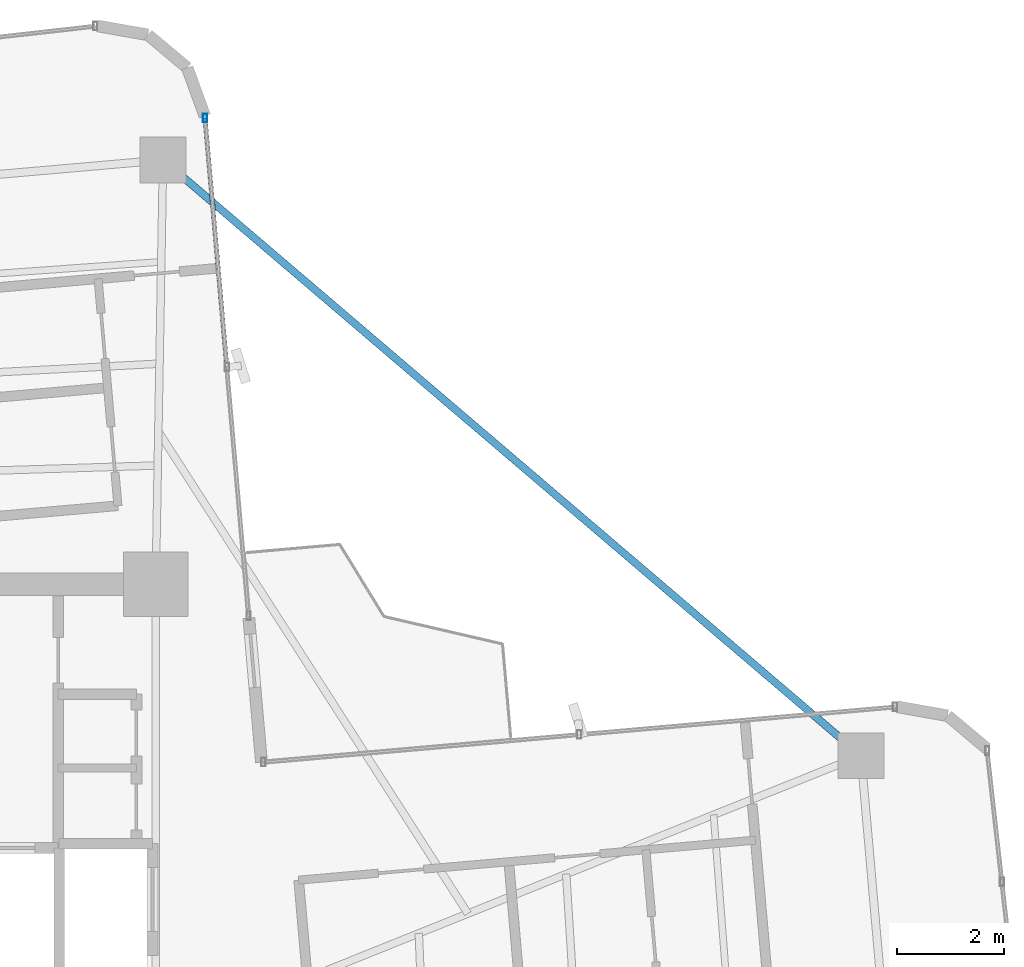
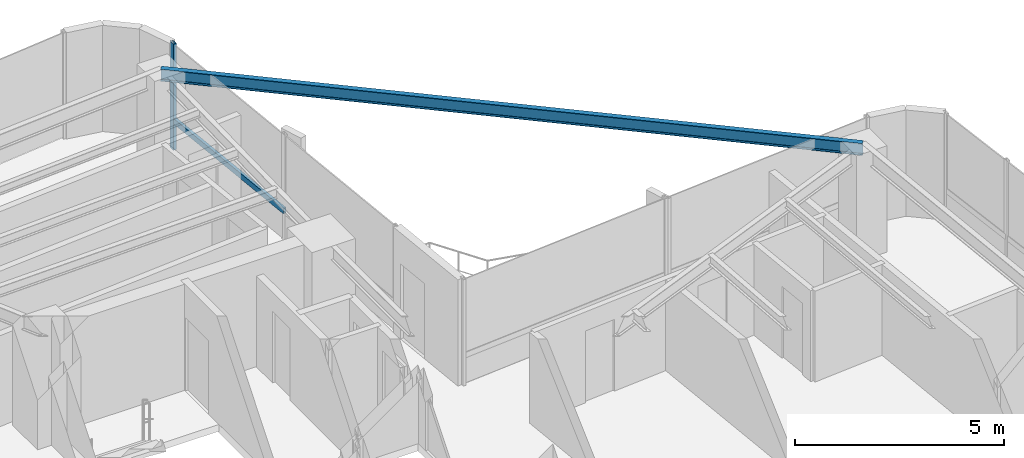
# One storey, part 17 of 24: 2 members, 1 beam, 1 element without a shape of its own.
"""IFC4 building model written with IfcOpenShell, lengths in metres."""

from ifc_helpers import new_model, si_unit, direction, frame, origin, origin_2d, place, context, subcontext, project, spatial, hollow_rectangle, i_section, extrude, source, transform, mapped, material, material_profile, profile_set, type_object, element, aggregate, save


model = new_model("IFC4")

# Units and contexts
model_context = context("Model", 3, precision=1e-05, world=origin(), true_north=direction((0.0, 1.0)))
body_context = subcontext(model_context, "Body", "Model", "MODEL_VIEW")
ifc_project = project(units=[si_unit("LENGTHUNIT", "METRE"), si_unit("AREAUNIT", "SQUARE_METRE"), si_unit("VOLUMEUNIT", "CUBIC_METRE"), si_unit("PLANEANGLEUNIT", "RADIAN"), si_unit("MASSUNIT", "GRAM", prefix="KILO")], contexts=[model_context])

# Site, building, storey
site_placement = place(None, origin())
site = spatial("IfcSite", under=ifc_project, at=site_placement, CompositionType="ELEMENT")
building_placement = place(site_placement, origin())
building = spatial("IfcBuilding", under=site, at=building_placement, Name="Sahyath Konkavel Grand Hotel", CompositionType="ELEMENT")
storey_placement = place(building_placement, frame((0.0, 0.0, 150.60009765625)))
storey = spatial("IfcBuildingStorey", under=building, at=storey_placement, Name="L41", CompositionType="ELEMENT", Elevation=150.60009765625)

# Beam
ifc_material_1 = material(Name="Steel E350", Category="steel")
ifc_material_profile_1 = material_profile(ifc_material_1, i_section(OverallWidth=0.139892578125, OverallDepth=0.35009765625, WebThickness=0.008056640625, FlangeThickness=0.01416015625, FilletRadius=0.013916015625, at=origin_2d()), Name="ISMB 350")
ifc_profile_set_1 = profile_set([ifc_material_profile_1], Name="Steel E350")
beam_type = type_object("IfcBeamType", Name="BM-ISMB350", PredefinedType="BEAM", material=ifc_profile_set_1)
shared_shape_1 = source(origin(), body_context, "Body", "SweptSolid", [
    extrude(i_section(OverallWidth=0.139892578125, OverallDepth=0.35009765625, WebThickness=0.008056640625, FlangeThickness=0.01416015625, FilletRadius=0.013916015625, at=origin_2d()), origin(), (0.0, 0.0, 1.0), 17.11279296875),
])
beam_placement = place(storey_placement, frame((16.9541015625, 7.00439453125, 2.934814453125), z_axis=(-0.760711911164, 0.649089661151, 0.0), x_axis=(-0.649089661151, -0.760711911164, 0.0)))
element("IfcBeam", 1, at=beam_placement, inside=storey, type_object=beam_type, Name="L41 Re-Entrant Tie Beam NE", PredefinedType="BEAM", context=body_context, shape_type="MappedRepresentation", body=[
    mapped(shared_shape_1, transform((0.0, 0.0, 0.0), scale=1.0)),
])

# Curtain wall, members
ifc_material_2 = material(Name="Anodised Bronze Aluminium & Low-E Glazing", Category="aluminium")
curtain_wall_type = type_object("IfcCurtainWallType", Name="CW-ZONE3", PredefinedType="NOTDEFINED", material=ifc_material_2)
curtain_wall_placement = place(storey_placement, origin())
curtain_wall = element("IfcCurtainWall", 2, at=curtain_wall_placement, inside=storey, type_object=curtain_wall_type, Name="L41 Unitised Curtain Wall F8", PredefinedType="NOTDEFINED")
ifc_material_3 = material(Name="Anodised Bronze Aluminium", Category="aluminium")
ifc_material_profile_2 = material_profile(ifc_material_3, hollow_rectangle(XDim=0.080078125, YDim=0.159912109375, WallThickness=0.006103515625, at=origin_2d()), Name="RHS 160x80x6")
ifc_profile_set_2 = profile_set([ifc_material_profile_2], Name="Anodised Bronze Aluminium")
member_type_1 = type_object("IfcMemberType", Name="CW-MUL-160", PredefinedType="MULLION", material=ifc_profile_set_2)
shared_shape_2 = source(origin(), body_context, "Body", "SweptSolid", [
    extrude(hollow_rectangle(XDim=0.080078125, YDim=0.159912109375, WallThickness=0.006103515625, at=origin_2d()), origin(), (0.0, 0.0, 1.0), 3.10986328125),
])
member_1_placement = place(storey_placement, frame((4.72119140625, 18.893310546875, 0.0), z_axis=(0.0, 0.0, 1.0), x_axis=(1.0, 0.0, 0.0)))
member_1 = element("IfcMember", 3, at=member_1_placement, type_object=member_type_1, Name="L41 Curtain Wall Mullion F8-2", PredefinedType="MULLION", context=body_context, shape_type="MappedRepresentation", body=[
    mapped(shared_shape_2, transform((0.0, 0.0, 0.0), scale=1.0)),
])
ifc_material_profile_3 = material_profile(ifc_material_3, hollow_rectangle(XDim=0.080078125, YDim=0.159912109375, WallThickness=0.006103515625, at=origin_2d()), Name="RHS 160x80x6")
ifc_profile_set_3 = profile_set([ifc_material_profile_3], Name="Anodised Bronze Aluminium")
member_type_2 = type_object("IfcMemberType", Name="CW-TRN-160", PredefinedType="USERDEFINED", material=ifc_profile_set_3)
shared_shape_3 = source(origin(), body_context, "Body", "SweptSolid", [
    extrude(hollow_rectangle(XDim=0.080078125, YDim=0.159912109375, WallThickness=0.006103515625, at=origin_2d()), origin(), (0.0, 0.0, 1.0), 4.659912109375),
])
member_2_placement = place(storey_placement, frame((5.12744140625, 14.251220703125, 0.849853515625), z_axis=(-0.087181248758, 0.996192466276, 0.0), x_axis=(-0.996192466276, -0.087181248758, 0.0)))
member_2 = element("IfcMember", 4, at=member_2_placement, type_object=member_type_2, Name="L41 Curtain Wall Transom F8-1-spandrel", ObjectType="TRANSOM", PredefinedType="USERDEFINED", context=body_context, shape_type="MappedRepresentation", body=[
    mapped(shared_shape_3, transform((0.0, 0.0, 0.0), scale=1.0)),
])
aggregate(curtain_wall, [member_1, member_2])

save(model, "model.ifc")
